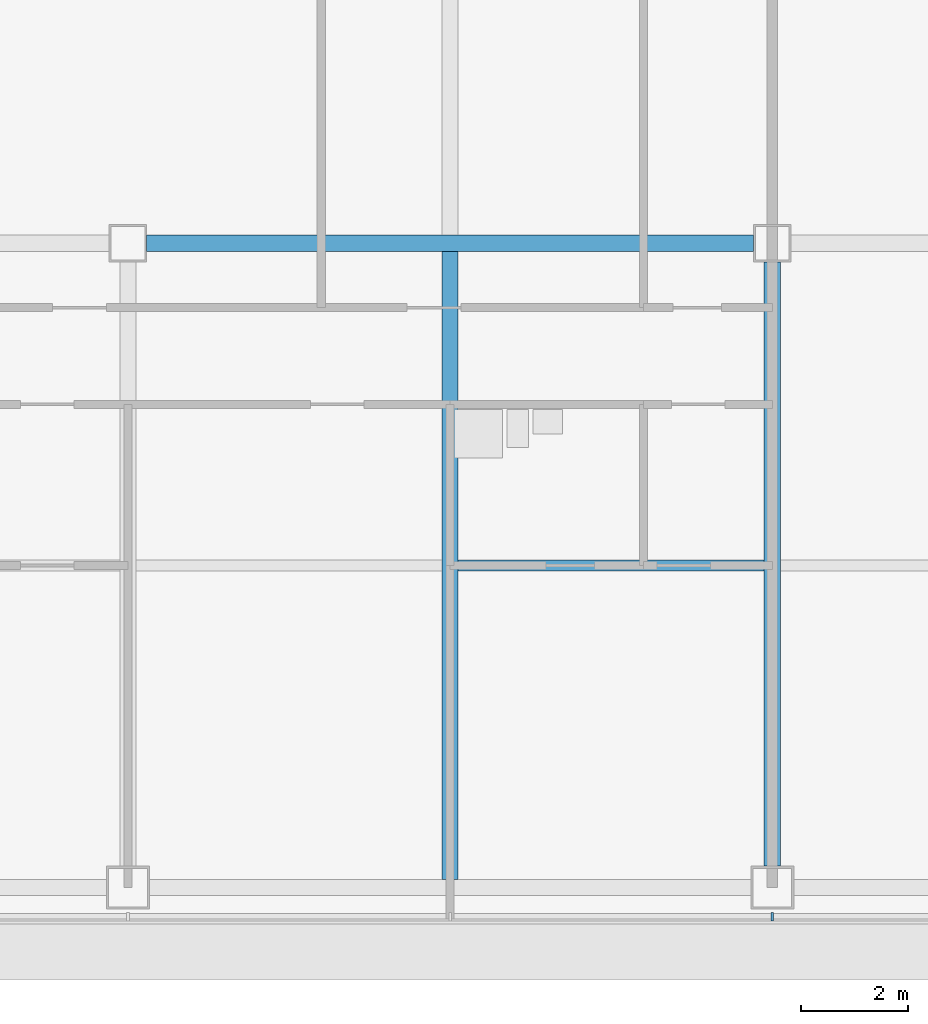
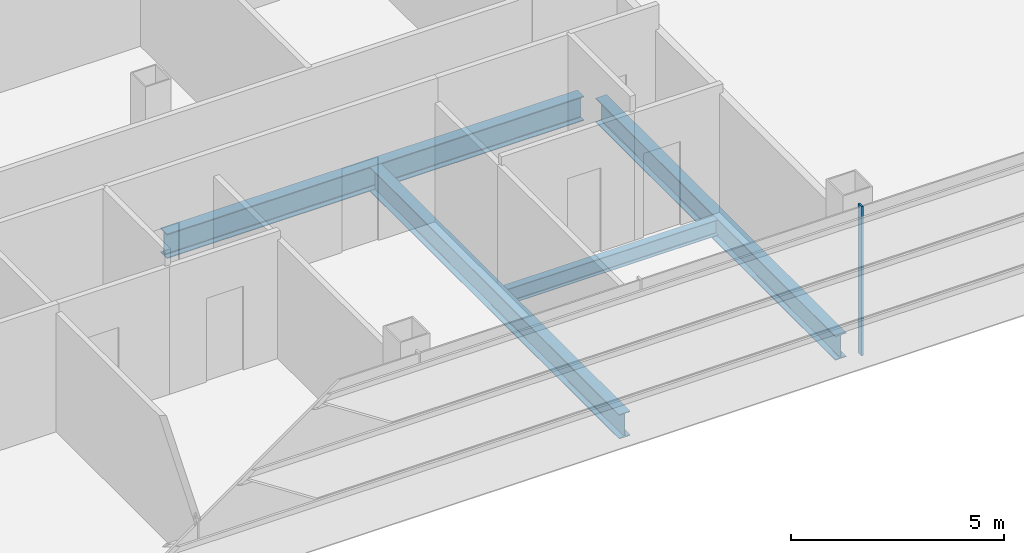
# One storey, part 4 of 28: 4 beams, 1 member, 1 element without a shape of its own.
"""IFC4 building model written with IfcOpenShell, lengths in metres."""

from ifc_helpers import new_model, si_unit, direction, frame, origin, origin_2d, place, context, subcontext, project, spatial, rectangle, i_section, extrude, material, material_profile, profile_set, type_object, element, aggregate, save


model = new_model("IFC4")

# Units and contexts
model_context = context("Model", 3, precision=1e-05, world=origin(), true_north=direction((0.0, 1.0)))
body_context = subcontext(model_context, "Body", "Model", "MODEL_VIEW")
ifc_project = project(units=[si_unit("LENGTHUNIT", "METRE"), si_unit("AREAUNIT", "SQUARE_METRE"), si_unit("VOLUMEUNIT", "CUBIC_METRE"), si_unit("PLANEANGLEUNIT", "RADIAN"), si_unit("MASSUNIT", "GRAM", prefix="KILO")], contexts=[model_context])

# Site, building, storey
site_placement = place(None, origin())
site = spatial("IfcSite", under=ifc_project, at=site_placement, CompositionType="ELEMENT")
building_placement = place(site_placement, origin())
building = spatial("IfcBuilding", under=site, at=building_placement, Name="Sorahane Residences", CompositionType="ELEMENT")
storey_placement = place(building_placement, frame((0.0, 0.0, 134.0)))
storey = spatial("IfcBuildingStorey", under=building, at=storey_placement, Name="L30", CompositionType="ELEMENT", Elevation=134.0)

# Curtain wall, member
ifc_material_1 = material(Name="Dark low-e glass and black anodised aluminium", Category="aluminium")
curtain_wall_type = type_object("IfcCurtainWallType", Name="Curtain wall CW-1 Typical unitised wall", PredefinedType="NOTDEFINED", material=ifc_material_1)
curtain_wall_placement = place(storey_placement, origin())
curtain_wall = element("IfcCurtainWall", 1, at=curtain_wall_placement, inside=storey, type_object=curtain_wall_type, Name="CW-1 curtain wall L30 S1", PredefinedType="NOTDEFINED")
ifc_material_2 = material(Name="Black anodised aluminium", Category="aluminium")
ifc_material_profile_1 = material_profile(ifc_material_2, rectangle(XDim=0.159912109375, YDim=0.050048828125, at=origin_2d()), Name="Curtain wall mullion CW-1 black anodised aluminium 50x160")
ifc_profile_set_1 = profile_set([ifc_material_profile_1], Name="Black anodised aluminium")
member_type = type_object("IfcMemberType", Name="Curtain wall mullion CW-1 black anodised aluminium 50x160", PredefinedType="MULLION", material=ifc_profile_set_1)
member_placement = place(storey_placement, frame((24.0, -0.5400390625, -0.179931640625), z_axis=(0.0, 0.0, 1.0), x_axis=(0.0, -1.0, 0.0)))
member = element("IfcMember", 2, at=member_placement, type_object=member_type, Name="CW-1 mullion L30 S1.5", PredefinedType="MULLION", context=body_context, shape_type="SweptSolid", body=[
    extrude(rectangle(XDim=0.159912109375, YDim=0.050048828125, at=origin_2d()), origin(), (0.0, 0.0, 1.0), 4.280029296875),
])
aggregate(curtain_wall, [member])

# Beams
ifc_material_3 = material(Name="Steel Q355B", Category="steel")
ifc_material_profile_2 = material_profile(ifc_material_3, i_section(OverallWidth=0.199951171875, OverallDepth=0.449951171875, WebThickness=0.009033203125, FlangeThickness=0.013916015625, FilletRadius=0.02001953125, at=origin_2d()), Name="HN 450x200x9x14")
ifc_profile_set_2 = profile_set([ifc_material_profile_2], Name="Steel Q355B")
beam_type_1 = type_object("IfcBeamType", Name="Steel floor beam HN 450x200x9x14 Q355B", PredefinedType="BEAM", material=ifc_profile_set_2)
beam_1_placement = place(storey_placement, frame((18.14990234375, 6.0, -0.405029296875), z_axis=(1.0, 0.0, 0.0), x_axis=(0.0, 1.0, 0.0)))
element("IfcBeam", 3, at=beam_1_placement, inside=storey, type_object=beam_type_1, Name="Beam L30 071", PredefinedType="BEAM", context=body_context, shape_type="SweptSolid", body=[
    extrude(i_section(OverallWidth=0.199951171875, OverallDepth=0.449951171875, WebThickness=0.009033203125, FlangeThickness=0.013916015625, FilletRadius=0.02001953125, at=origin_2d()), origin(), (0.0, 0.0, 1.0), 5.7001953125),
])
ifc_material_4 = material(Name="Steel Q355B", Category="steel")
ifc_material_profile_3 = material_profile(ifc_material_4, i_section(OverallWidth=0.300048828125, OverallDepth=0.699951171875, WebThickness=0.012939453125, FlangeThickness=0.02392578125, FilletRadius=0.028076171875, at=origin_2d()), Name="HN 700x300x13x24")
ifc_profile_set_3 = profile_set([ifc_material_profile_3], Name="Steel Q355B")
beam_type_2 = type_object("IfcBeamType", Name="Steel floor beam HN 700x300x13x24 Q355B", PredefinedType="BEAM", material=ifc_profile_set_3)
beam_2_placement = place(storey_placement, frame((12.35009765625, 12.0, -0.530029296875), z_axis=(1.0, 0.0, 0.0), x_axis=(0.0, 1.0, 0.0)))
element("IfcBeam", 4, at=beam_2_placement, inside=storey, type_object=beam_type_2, Name="Beam L30 007", PredefinedType="BEAM", context=body_context, shape_type="SweptSolid", body=[
    extrude(i_section(OverallWidth=0.300048828125, OverallDepth=0.699951171875, WebThickness=0.012939453125, FlangeThickness=0.02392578125, FilletRadius=0.028076171875, at=origin_2d()), origin(), (0.0, 0.0, 1.0), 11.2998046875),
])
beam_3_placement = place(storey_placement, frame((18.0, 0.14990234375, -0.530029296875), z_axis=(0.0, 1.0, 0.0), x_axis=(-1.0, 0.0, 0.0)))
element("IfcBeam", 5, at=beam_3_placement, inside=storey, type_object=beam_type_2, Name="Beam L30 036", PredefinedType="BEAM", context=body_context, shape_type="SweptSolid", body=[
    extrude(i_section(OverallWidth=0.300048828125, OverallDepth=0.699951171875, WebThickness=0.012939453125, FlangeThickness=0.02392578125, FilletRadius=0.028076171875, at=origin_2d()), origin(), (0.0, 0.0, 1.0), 11.7001953125),
])
beam_4_placement = place(storey_placement, frame((24.0, 0.39990234375, -0.530029296875), z_axis=(0.0, 1.0, 0.0), x_axis=(-1.0, 0.0, 0.0)))
element("IfcBeam", 6, at=beam_4_placement, inside=storey, type_object=beam_type_2, Name="Beam L30 042", PredefinedType="BEAM", context=body_context, shape_type="SweptSolid", body=[
    extrude(i_section(OverallWidth=0.300048828125, OverallDepth=0.699951171875, WebThickness=0.012939453125, FlangeThickness=0.02392578125, FilletRadius=0.028076171875, at=origin_2d()), origin(), (0.0, 0.0, 1.0), 11.25),
])

save(model, "model.ifc")
